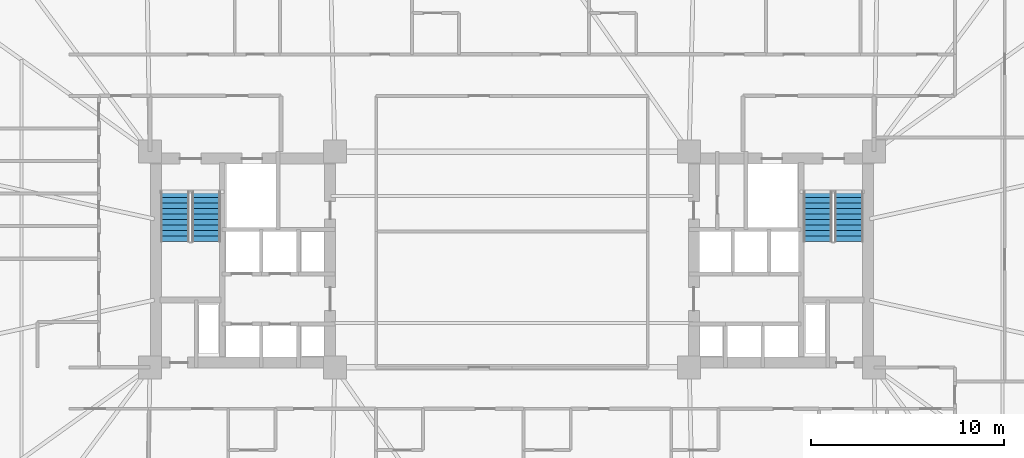
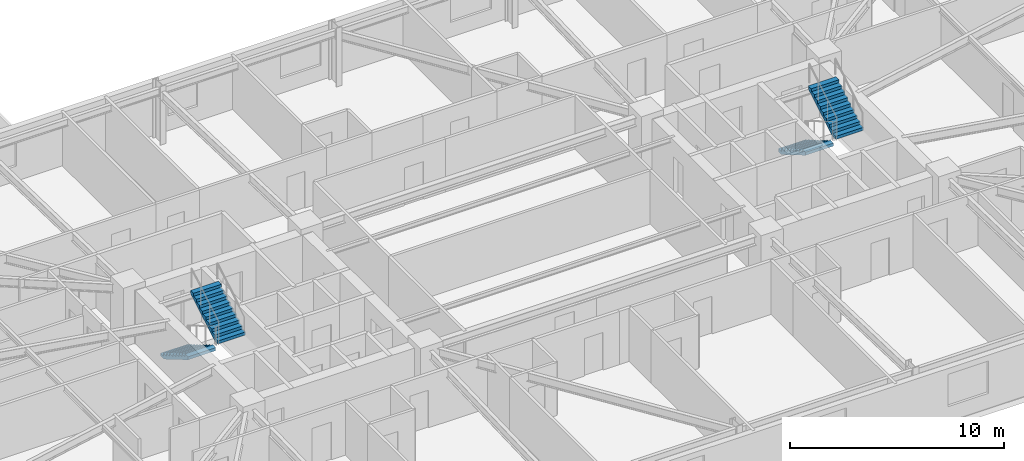
# One storey, part 19 of 21: 4 stair flights, 2 elements without a shape of their own.
"""IFC4 building model written with IfcOpenShell, lengths in metres."""

from ifc_helpers import new_model, si_unit, direction, frame, origin, place, context, subcontext, project, spatial, polyline, outline, extrude, material, type_object, element, aggregate, save


model = new_model("IFC4")

# Units and contexts
model_context = context("Model", 3, precision=1e-05, world=origin(), true_north=direction((0.0, 1.0)))
body_context = subcontext(model_context, "Body", "Model", "MODEL_VIEW")
ifc_project = project(units=[si_unit("LENGTHUNIT", "METRE"), si_unit("AREAUNIT", "SQUARE_METRE"), si_unit("VOLUMEUNIT", "CUBIC_METRE"), si_unit("PLANEANGLEUNIT", "RADIAN"), si_unit("MASSUNIT", "GRAM", prefix="KILO")], contexts=[model_context])

# Site, building, storey
site_placement = place(None, origin())
site = spatial("IfcSite", under=ifc_project, at=site_placement, CompositionType="ELEMENT")
building_placement = place(site_placement, origin())
building = spatial("IfcBuilding", under=site, at=building_placement, Name="Qobustan Lattice House", CompositionType="ELEMENT")
storey_placement = place(building_placement, frame((0.0, 0.0, 37.050048828125)))
storey = spatial("IfcBuildingStorey", under=building, at=storey_placement, Name="L09", CompositionType="ELEMENT", Elevation=37.050048828125)

# Stair, stair flights
ifc_material_1 = material(Name="Concrete C40/50", Category="concrete")
stair_type = type_object("IfcStairType", Name="STR-CORE-DOGLEG", PredefinedType="HALF_TURN_STAIR", material=ifc_material_1)
stair_1_placement = place(storey_placement, origin())
stair_1 = element("IfcStair", 1, at=stair_1_placement, inside=storey, type_object=stair_type, Name="L09 West protected exit stair ST-W1", PredefinedType="HALF_TURN_STAIR")
ifc_material_2 = material(Name="Concrete C40/50", Category="concrete")
stair_flight_type = type_object("IfcStairFlightType", Name="SFL-RC-1500", PredefinedType="STRAIGHT", material=ifc_material_2)
stair_flight_1_placement = place(storey_placement, frame((-17.5, 3.5, 0.0), z_axis=(0.0, 0.0, 1.0), x_axis=(0.0, -1.0, 0.0)))
stair_flight_1 = element("IfcStairFlight", 2, at=stair_flight_1_placement, type_object=stair_flight_type, Name="ST-W1 flight 1", NumberOfRisers=10, NumberOfTreads=9, PredefinedType="STRAIGHT", RiserHeight=0.1675, TreadLength=0.285, context=body_context, shape_type="SweptSolid", body=[
    extrude(outline(polyline([(0.0, 0.0), (0.0, 0.16748046875), (0.284912109375, 0.16748046875), (0.284912109375, 0.3349609375), (0.570068359375, 0.3349609375), (0.570068359375, 0.50244140625), (0.85498046875, 0.50244140625), (0.85498046875, 0.669921875), (1.139892578125, 0.669921875), (1.139892578125, 0.83740234375), (1.425048828125, 0.83740234375), (1.425048828125, 1.0048828125), (1.7099609375, 1.0048828125), (1.7099609375, 1.172607421875), (1.9951171875, 1.172607421875), (1.9951171875, 1.340087890625), (2.280029296875, 1.340087890625), (2.280029296875, 1.507568359375), (2.56494140625, 1.507568359375), (2.56494140625, 1.675048828125), (2.56494140625, 1.333740234375), (0.2958984375, 0.0), (0.0, 0.0)])), frame((0.0, 0.75, 0.0), z_axis=(0.0, -1.0, 0.0), x_axis=(1.0, 0.0, 0.0)), (0.0, 0.0, 1.0), 1.5),
])
stair_flight_2_placement = place(storey_placement, frame((-15.8798828125, 0.93505859375, 1.675048828125), z_axis=(0.0, 0.0, 1.0), x_axis=(0.0, 1.0, 0.0)))
stair_flight_2 = element("IfcStairFlight", 3, at=stair_flight_2_placement, type_object=stair_flight_type, Name="ST-W1 flight 2", NumberOfRisers=10, NumberOfTreads=9, PredefinedType="STRAIGHT", RiserHeight=0.1675, TreadLength=0.285, context=body_context, shape_type="SweptSolid", body=[
    extrude(outline(polyline([(0.0, 0.0), (0.0, 0.16748046875), (0.284912109375, 0.16748046875), (0.284912109375, 0.3349609375), (0.570068359375, 0.3349609375), (0.570068359375, 0.50244140625), (0.85498046875, 0.50244140625), (0.85498046875, 0.669921875), (1.139892578125, 0.669921875), (1.139892578125, 0.83740234375), (1.425048828125, 0.83740234375), (1.425048828125, 1.0048828125), (1.7099609375, 1.0048828125), (1.7099609375, 1.172607421875), (1.9951171875, 1.172607421875), (1.9951171875, 1.340087890625), (2.280029296875, 1.340087890625), (2.280029296875, 1.507568359375), (2.56494140625, 1.507568359375), (2.56494140625, 1.675048828125), (2.56494140625, 1.333740234375), (0.2958984375, 0.0), (0.0, 0.0)])), frame((0.0, 0.75, 0.0), z_axis=(0.0, -1.0, 0.0), x_axis=(1.0, 0.0, 0.0)), (0.0, 0.0, 1.0), 1.5),
])
aggregate(stair_1, [stair_flight_1, stair_flight_2])

stair_2_placement = place(storey_placement, origin())
stair_2 = element("IfcStair", 4, at=stair_2_placement, inside=storey, type_object=stair_type, Name="L09 East protected exit stair ST-E1", PredefinedType="HALF_TURN_STAIR")
stair_flight_3_placement = place(storey_placement, frame((15.8798828125, 3.5, 0.0), z_axis=(0.0, 0.0, 1.0), x_axis=(0.0, -1.0, 0.0)))
stair_flight_3 = element("IfcStairFlight", 5, at=stair_flight_3_placement, type_object=stair_flight_type, Name="ST-E1 flight 1", NumberOfRisers=10, NumberOfTreads=9, PredefinedType="STRAIGHT", RiserHeight=0.1675, TreadLength=0.285, context=body_context, shape_type="SweptSolid", body=[
    extrude(outline(polyline([(0.0, 0.0), (0.0, 0.16748046875), (0.284912109375, 0.16748046875), (0.284912109375, 0.3349609375), (0.570068359375, 0.3349609375), (0.570068359375, 0.50244140625), (0.85498046875, 0.50244140625), (0.85498046875, 0.669921875), (1.139892578125, 0.669921875), (1.139892578125, 0.83740234375), (1.425048828125, 0.83740234375), (1.425048828125, 1.0048828125), (1.7099609375, 1.0048828125), (1.7099609375, 1.172607421875), (1.9951171875, 1.172607421875), (1.9951171875, 1.340087890625), (2.280029296875, 1.340087890625), (2.280029296875, 1.507568359375), (2.56494140625, 1.507568359375), (2.56494140625, 1.675048828125), (2.56494140625, 1.333740234375), (0.2958984375, 0.0), (0.0, 0.0)])), frame((0.0, 0.75, 0.0), z_axis=(0.0, -1.0, 0.0), x_axis=(1.0, 0.0, 0.0)), (0.0, 0.0, 1.0), 1.5),
])
stair_flight_4_placement = place(storey_placement, frame((17.5, 0.93505859375, 1.675048828125), z_axis=(0.0, 0.0, 1.0), x_axis=(0.0, 1.0, 0.0)))
stair_flight_4 = element("IfcStairFlight", 6, at=stair_flight_4_placement, type_object=stair_flight_type, Name="ST-E1 flight 2", NumberOfRisers=10, NumberOfTreads=9, PredefinedType="STRAIGHT", RiserHeight=0.1675, TreadLength=0.285, context=body_context, shape_type="SweptSolid", body=[
    extrude(outline(polyline([(0.0, 0.0), (0.0, 0.16748046875), (0.284912109375, 0.16748046875), (0.284912109375, 0.3349609375), (0.570068359375, 0.3349609375), (0.570068359375, 0.50244140625), (0.85498046875, 0.50244140625), (0.85498046875, 0.669921875), (1.139892578125, 0.669921875), (1.139892578125, 0.83740234375), (1.425048828125, 0.83740234375), (1.425048828125, 1.0048828125), (1.7099609375, 1.0048828125), (1.7099609375, 1.172607421875), (1.9951171875, 1.172607421875), (1.9951171875, 1.340087890625), (2.280029296875, 1.340087890625), (2.280029296875, 1.507568359375), (2.56494140625, 1.507568359375), (2.56494140625, 1.675048828125), (2.56494140625, 1.333740234375), (0.2958984375, 0.0), (0.0, 0.0)])), frame((0.0, 0.75, 0.0), z_axis=(0.0, -1.0, 0.0), x_axis=(1.0, 0.0, 0.0)), (0.0, 0.0, 1.0), 1.5),
])
aggregate(stair_2, [stair_flight_3, stair_flight_4])

save(model, "model.ifc")
